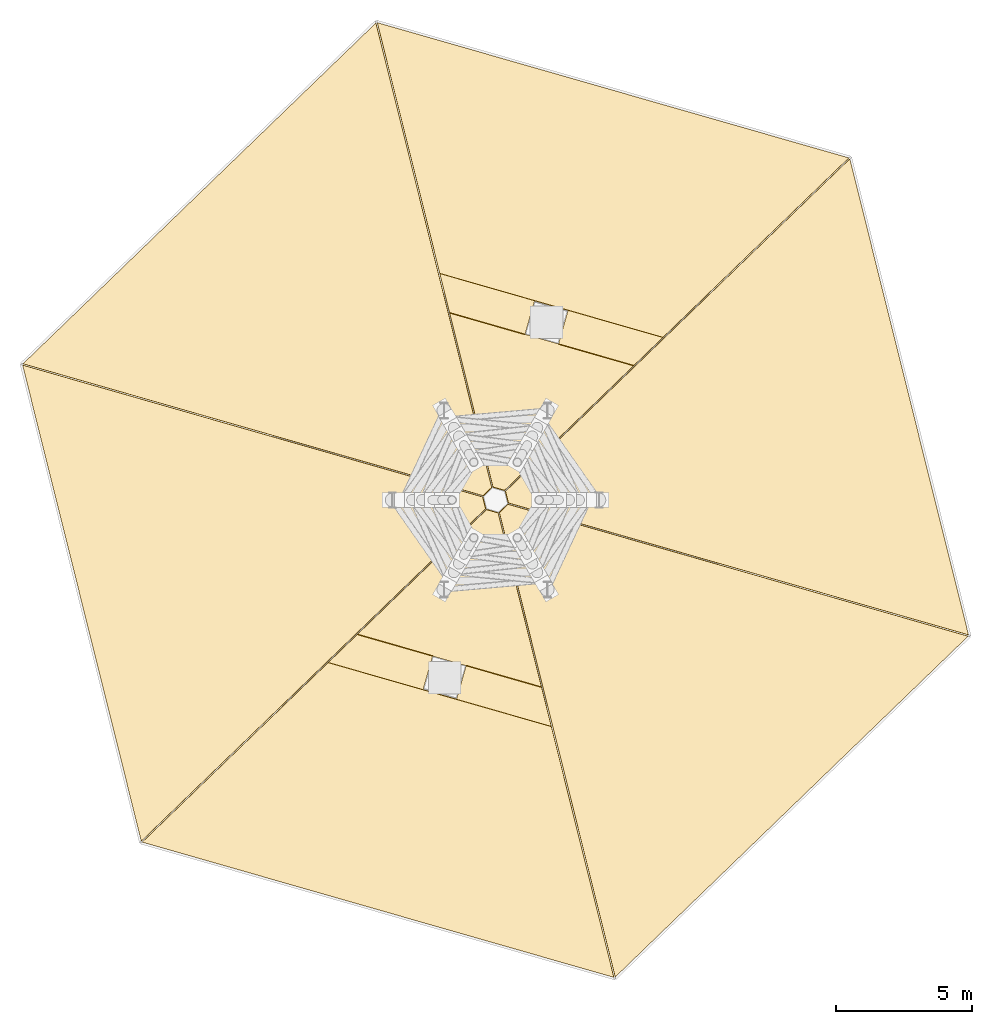
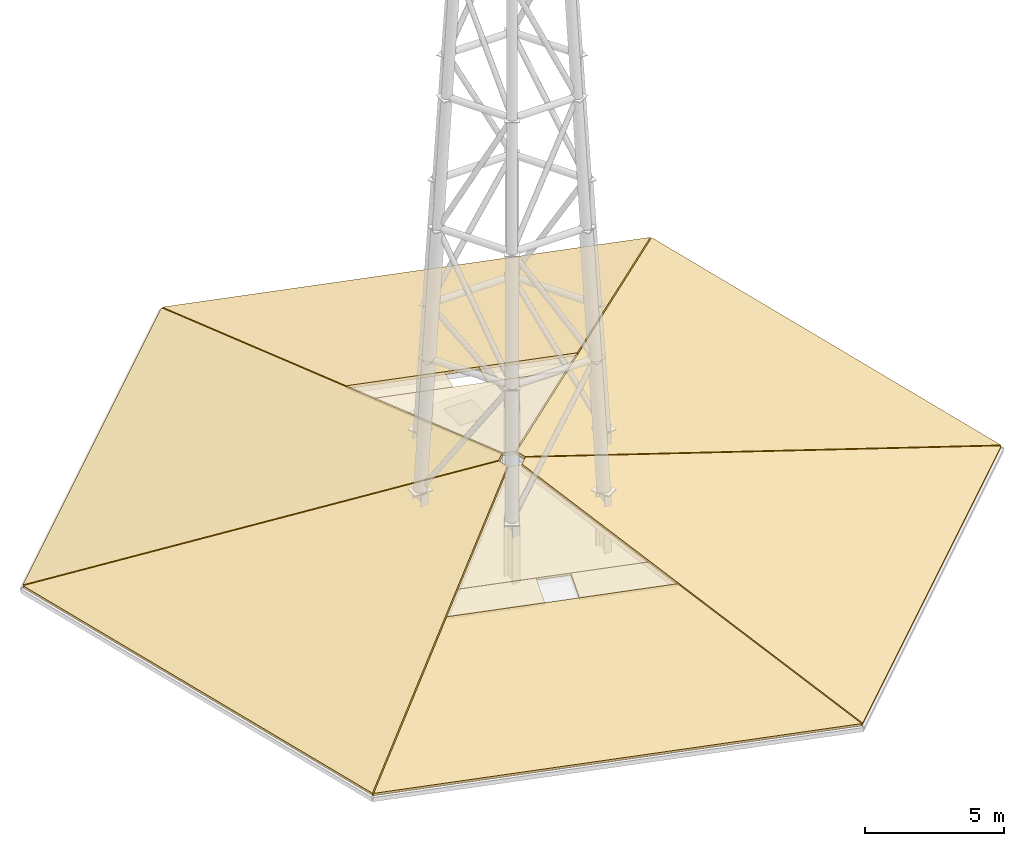
# One storey, part 4 of 4: 12 coverings.
"""IFC4 building model written with IfcOpenShell, lengths in metres."""

from ifc_helpers import new_model, si_unit, direction, frame, origin, place, context, subcontext, project, spatial, polyline, outline, extrude, material, layer, layer_set, type_object, element, save


model = new_model("IFC4")

# Units and contexts
model_context = context("Model", 3, precision=1e-05, world=origin(), true_north=direction((0.0, 1.0)))
body_context = subcontext(model_context, "Body", "Model", "MODEL_VIEW")
ifc_project = project(units=[si_unit("LENGTHUNIT", "METRE"), si_unit("AREAUNIT", "SQUARE_METRE"), si_unit("VOLUMEUNIT", "CUBIC_METRE"), si_unit("PLANEANGLEUNIT", "RADIAN"), si_unit("MASSUNIT", "GRAM", prefix="KILO")], contexts=[model_context])

# Site, building, storey
site_placement = place(None, origin())
site = spatial("IfcSite", under=ifc_project, at=site_placement, CompositionType="ELEMENT")
building_placement = place(site_placement, origin())
building = spatial("IfcBuilding", under=site, at=building_placement, Name="Kranzbogen Civic Tower", CompositionType="ELEMENT")
storey_placement = place(building_placement, frame((0.0, 0.0, 327.0)))
storey = spatial("IfcBuildingStorey", under=building, at=storey_placement, Name="Roof Crown", CompositionType="ELEMENT", Elevation=327.0)

# Coverings
ifc_material = material(Name="Waterproof Membrane and Pale Anodised Aluminium", Category="aluminium")
ifc_layer = layer(ifc_material, 0.1201171875, Name="Waterproof Membrane and Pale Anodised Aluminium")
ifc_layer_set = layer_set([ifc_layer], Name="Waterproof Membrane and Pale Anodised Aluminium")
covering_type = type_object("IfcCoveringType", Name="Insulated Standing-Seam Metal and Glass Roofing 120 mm", PredefinedType="ROOFING", material=ifc_layer_set)
covering_1_placement = place(storey_placement, frame((20.60009765625, 42.5419921875, 0.1201171875), z_axis=(-0.111561928508, 0.115522267727, 0.987020031087), x_axis=(-0.719333494917, -0.694664899855, -9.80114e-07)))
element("IfcCovering", 1, at=covering_1_placement, inside=storey, type_object=covering_type, Name="Roof Crown sloped standing-seam roofing 1", PredefinedType="ROOFING", context=body_context, shape_type="SweptSolid", body=[
    extrude(outline(polyline([(0.0, 0.0), (18.041736464066528, 0.0), (9.241943431930101, 15.442296895812527), (8.79993643622732, 15.442184090769139), (0.0, 0.0)])), origin(), (0.0, 0.0, -1.0), 0.1201171875),
])
covering_2_placement = place(storey_placement, frame((7.60791015625, 29.9609375, 0.1201171875), z_axis=(-0.155825337879, -0.038855578929, 0.987020115327), x_axis=(0.241937200127, -0.9702919103, -1.32515e-06)))
element("IfcCovering", 2, at=covering_2_placement, inside=storey, type_object=covering_type, Name="Roof Crown sloped standing-seam roofing 2", PredefinedType="ROOFING", context=body_context, shape_type="SweptSolid", body=[
    extrude(outline(polyline([(0.0, 0.0), (18.041847250292243, 8.881784197001252e-16), (9.242182698746307, 15.442366537505212), (8.799803887915608, 15.442214016514566), (0.0, 0.0)])), origin(), (0.0, 0.0, -1.0), 0.1201171875),
])
covering_3_placement = place(storey_placement, frame((12.008056640625, 12.4189453125, 0.1201171875), z_axis=(-0.044256200058, -0.15435468822, 0.987023818852), x_axis=(0.961263736763, -0.275630238501, -2.977928e-06)))
element("IfcCovering", 3, at=covering_3_placement, inside=storey, type_object=covering_type, Name="Roof Crown sloped standing-seam roofing 3A", PredefinedType="ROOFING", context=body_context, shape_type="SweptSolid", body=[
    extrude(outline(polyline([(0.0, 0.0), (18.041895604599535, -8.881784197001252e-16), (13.290304926375292, 8.338258398935404), (4.751679177196814, 8.337765449156477), (0.0, 0.0)])), origin(), (0.0, 0.0, -1.0), 0.1201171875),
])
covering_4_placement = place(storey_placement, frame((19.9150390625, 20.054931640625, 1.6689453125), z_axis=(-0.044268513782, -0.154395470329, 0.987016888118), x_axis=(0.961275066755, -0.275590721936, 4.315437e-06)))
element("IfcCovering", 4, at=covering_4_placement, inside=storey, type_object=covering_type, Name="Roof Crown sloped standing-seam roofing 3B", PredefinedType="ROOFING", context=body_context, shape_type="SweptSolid", body=[
    extrude(outline(polyline([(0.0, 0.0), (7.049859440464471, 0.0), (3.7461214716129683, 5.797263250353522), (3.3038911854342916, 5.797464547464844), (0.0, 0.0)])), origin(), (0.0, 0.0, -1.0), 0.1201171875),
])
covering_5_placement = place(storey_placement, frame((18.847900390625, 19.02392578125, 1.4599609375), z_axis=(-0.044203272129, -0.154197460915, 0.987050765554), x_axis=(0.961304558801, -0.275487831032, 1.3457214e-05)))
element("IfcCovering", 5, at=covering_5_placement, inside=storey, type_object=covering_type, Name="Roof Crown sloped standing-seam roofing 3C", PredefinedType="ROOFING", context=body_context, shape_type="SweptSolid", body=[
    extrude(outline(polyline([(0.0, 0.0), (3.6264072264909415, 0.0), (3.626932169077477, 1.2964363582503764), (0.7389048362832666, 1.2969828773684224), (0.0, 0.0)])), origin(), (0.0, 0.0, -1.0), 0.1201171875),
])
covering_6_placement = place(storey_placement, frame((23.56396484375, 17.672119140625, 1.4599609375), z_axis=(-0.044229879197, -0.154230436443, 0.987044421625), x_axis=(0.961254261337, -0.275663282034, 4.98009e-07)))
element("IfcCovering", 6, at=covering_6_placement, inside=storey, type_object=covering_type, Name="Roof Crown sloped standing-seam roofing 3D", PredefinedType="ROOFING", context=body_context, shape_type="SweptSolid", body=[
    extrude(outline(polyline([(0.0, 0.0), (3.627615092256733, -1.1102230246251565e-16), (2.8883160741410894, 1.2964162095599467), (0.0002886892844803733, 1.2964364333270768), (0.0, 0.0)])), origin(), (0.0, 0.0, -1.0), 0.1201171875),
])
covering_7_placement = place(storey_placement, frame((29.39990234375, 7.4580078125, 0.1201171875), z_axis=(0.111561928508, -0.115522267727, 0.987020031087), x_axis=(0.719333494917, 0.694664899855, -9.80114e-07)))
element("IfcCovering", 7, at=covering_7_placement, inside=storey, type_object=covering_type, Name="Roof Crown sloped standing-seam roofing 4", PredefinedType="ROOFING", context=body_context, shape_type="SweptSolid", body=[
    extrude(outline(polyline([(0.0, 0.0), (18.041736464066528, 0.0), (9.241943431930101, 15.442296895812527), (8.79993643622732, 15.442184090769139), (0.0, 0.0)])), origin(), (0.0, 0.0, -1.0), 0.1201171875),
])
covering_8_placement = place(storey_placement, frame((42.39208984375, 20.0390625, 0.1201171875), z_axis=(0.155825337879, 0.038855578929, 0.987020115327), x_axis=(-0.241937200127, 0.9702919103, -1.32515e-06)))
element("IfcCovering", 8, at=covering_8_placement, inside=storey, type_object=covering_type, Name="Roof Crown sloped standing-seam roofing 5", PredefinedType="ROOFING", context=body_context, shape_type="SweptSolid", body=[
    extrude(outline(polyline([(0.0, 0.0), (18.041847250292243, 8.881784197001252e-16), (9.242182698746307, 15.442366537505212), (8.799803887915608, 15.442214016514566), (0.0, 0.0)])), origin(), (0.0, 0.0, -1.0), 0.1201171875),
])
covering_9_placement = place(storey_placement, frame((37.991943359375, 37.5810546875, 0.1201171875), z_axis=(0.044256200058, 0.15435468822, 0.987023818852), x_axis=(-0.961263736763, 0.275630238501, -2.977928e-06)))
element("IfcCovering", 9, at=covering_9_placement, inside=storey, type_object=covering_type, Name="Roof Crown sloped standing-seam roofing 6A", PredefinedType="ROOFING", context=body_context, shape_type="SweptSolid", body=[
    extrude(outline(polyline([(0.0, 0.0), (18.041895604599535, -8.881784197001252e-16), (13.290304926375292, 8.338258398935404), (4.751679177196814, 8.337765449156477), (0.0, 0.0)])), origin(), (0.0, 0.0, -1.0), 0.1201171875),
])
covering_10_placement = place(storey_placement, frame((30.0849609375, 29.945068359375, 1.6689453125), z_axis=(0.044268513782, 0.154395470329, 0.987016888118), x_axis=(-0.961275066755, 0.275590721936, 4.315437e-06)))
element("IfcCovering", 10, at=covering_10_placement, inside=storey, type_object=covering_type, Name="Roof Crown sloped standing-seam roofing 6B", PredefinedType="ROOFING", context=body_context, shape_type="SweptSolid", body=[
    extrude(outline(polyline([(0.0, 0.0), (7.049859440464471, 0.0), (3.7461214716129683, 5.797263250353522), (3.3038911854342916, 5.797464547464844), (0.0, 0.0)])), origin(), (0.0, 0.0, -1.0), 0.1201171875),
])
covering_11_placement = place(storey_placement, frame((31.152099609375, 30.97607421875, 1.4599609375), z_axis=(0.044203272129, 0.154197460915, 0.987050765554), x_axis=(-0.961304558801, 0.275487831032, 1.3457214e-05)))
element("IfcCovering", 11, at=covering_11_placement, inside=storey, type_object=covering_type, Name="Roof Crown sloped standing-seam roofing 6C", PredefinedType="ROOFING", context=body_context, shape_type="SweptSolid", body=[
    extrude(outline(polyline([(0.0, 0.0), (3.6264072264909415, 0.0), (3.626932169077477, 1.2964363582503764), (0.7389048362832666, 1.2969828773684224), (0.0, 0.0)])), origin(), (0.0, 0.0, -1.0), 0.1201171875),
])
covering_12_placement = place(storey_placement, frame((26.43603515625, 32.327880859375, 1.4599609375), z_axis=(0.044229879197, 0.154230436443, 0.987044421625), x_axis=(-0.961254261337, 0.275663282034, 4.98009e-07)))
element("IfcCovering", 12, at=covering_12_placement, inside=storey, type_object=covering_type, Name="Roof Crown sloped standing-seam roofing 6D", PredefinedType="ROOFING", context=body_context, shape_type="SweptSolid", body=[
    extrude(outline(polyline([(0.0, 0.0), (3.627615092256733, -1.1102230246251565e-16), (2.8883160741410894, 1.2964162095599467), (0.0002886892844803733, 1.2964364333270768), (0.0, 0.0)])), origin(), (0.0, 0.0, -1.0), 0.1201171875),
])

save(model, "model.ifc")
